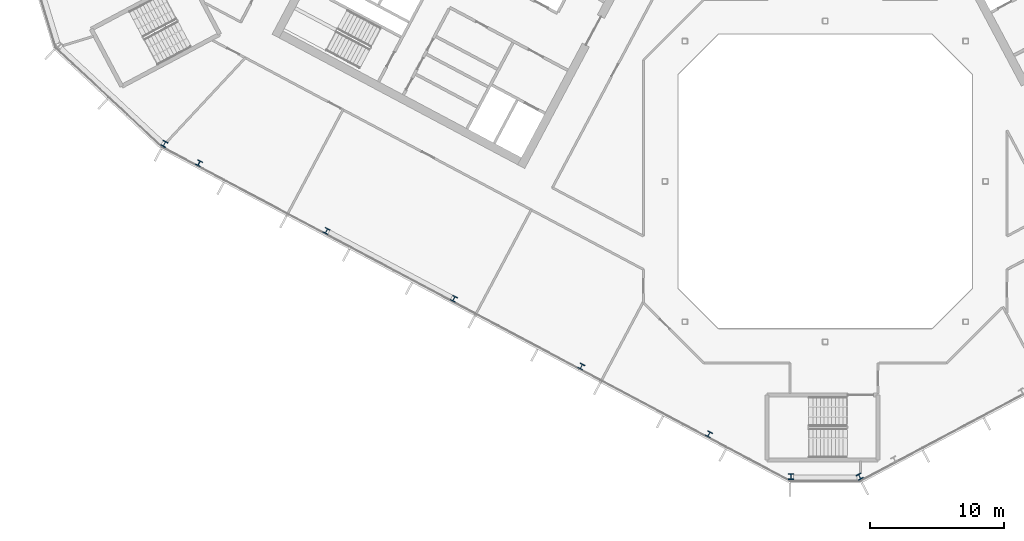
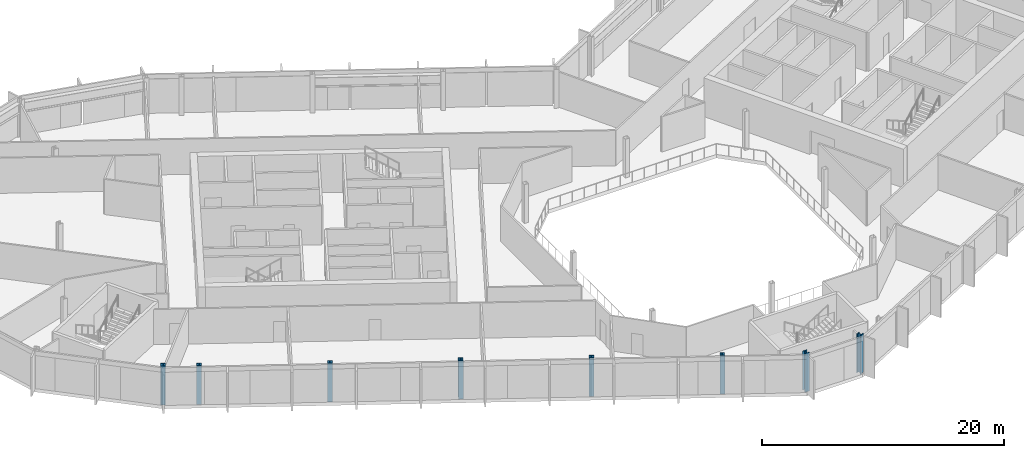
# One storey, part 1 of 26: 8 columns.
"""IFC4 building model written with IfcOpenShell, lengths in metres."""

from ifc_helpers import new_model, si_unit, direction, frame, origin, origin_2d, place, context, subcontext, project, spatial, i_section, extrude, material, material_profile, profile_set, type_object, element, save


model = new_model("IFC4")

# Units and contexts
model_context = context("Model", 3, precision=1e-05, world=origin(), true_north=direction((0.0, 1.0)))
body_context = subcontext(model_context, "Body", "Model", "MODEL_VIEW")
ifc_project = project(units=[si_unit("LENGTHUNIT", "METRE"), si_unit("AREAUNIT", "SQUARE_METRE"), si_unit("VOLUMEUNIT", "CUBIC_METRE"), si_unit("PLANEANGLEUNIT", "RADIAN"), si_unit("MASSUNIT", "GRAM", prefix="KILO")], contexts=[model_context])

# Site, building, storey
site_placement = place(None, origin())
site = spatial("IfcSite", under=ifc_project, at=site_placement, CompositionType="ELEMENT")
building_placement = place(site_placement, origin())
building = spatial("IfcBuilding", under=site, at=building_placement, Name="Cormorant Relay Tower", CompositionType="ELEMENT")
storey_placement = place(building_placement, frame((0.0, 0.0, 228.60009765625)))
storey = spatial("IfcBuildingStorey", under=building, at=storey_placement, Name="L50", CompositionType="ELEMENT", Elevation=228.60009765625)

# Columns
ifc_material_1 = material(Name="Steel ASTM A992 (Fy 345 MPa)", Category="steel")
ifc_material_profile_1 = material_profile(ifc_material_1, i_section(OverallWidth=0.40380859375, OverallDepth=0.406494140625, WebThickness=0.027099609375, FlangeThickness=0.043701171875, FilletRadius=0.01513671875, at=origin_2d()), Name="W360x347")
ifc_profile_set_1 = profile_set([ifc_material_profile_1], Name="Steel ASTM A992 (Fy 345 MPa)")
column_type_1 = type_object("IfcColumnType", Name="Column W360x347", PredefinedType="COLUMN", material=ifc_profile_set_1)
for number, where, z_axis, x_axis, name in (
    (1, (-8.700927734375, -18.919921875, 0.0), (0.0, 0.0, 1.0), (0.882947592859, -0.469471562786, 0.0), "Column L50-004"),
    (2, (-18.237060546875, -13.85009765625, 0.0), (0.0, 0.0, 1.0), (0.882947592859, -0.469471562786, 0.0), "Column L50-006"),
    (3, (-27.77197265625, -8.779052734375, 0.0), (0.0, 0.0, 1.0), (0.882947592859, -0.469471562786, 0.0), "Column L50-011"),
    (4, (-37.30810546875, -3.708984375, 0.0), (0.0, 0.0, 1.0), (0.882947592859, -0.469471562786, 0.0), "Column L50-013"),
    (5, (-46.843994140625, 1.361083984375, 0.0), (0.0, 0.0, 1.0), (0.882947592859, -0.469471562786, 0.0), "Column L50-017"),
):
    element("IfcColumn", number, at=place(storey_placement, frame(where, z_axis=z_axis, x_axis=x_axis)), inside=storey, type_object=column_type_1, Name=name, PredefinedType="COLUMN", context=body_context, shape_type="SweptSolid", body=[
        extrude(i_section(OverallWidth=0.40380859375, OverallDepth=0.406494140625, WebThickness=0.027099609375, FlangeThickness=0.043701171875, FilletRadius=0.01513671875, at=origin_2d()), origin(), (0.0, 0.0, 1.0), 3.89990234375),
    ])
ifc_material_2 = material(Name="Steel ASTM A992 (Fy 345 MPa)", Category="steel")
ifc_material_profile_2 = material_profile(ifc_material_2, i_section(OverallWidth=0.41162109375, OverallDepth=0.434326171875, WebThickness=0.035888671875, FlangeThickness=0.057373046875, FilletRadius=0.01513671875, at=origin_2d()), Name="W360x463")
ifc_profile_set_2 = profile_set([ifc_material_profile_2], Name="Steel ASTM A992 (Fy 345 MPa)")
column_type_2 = type_object("IfcColumnType", Name="Column W360x463", PredefinedType="COLUMN", material=ifc_profile_set_2)
for number, where, z_axis, x_axis, name in (
    (6, (-2.575927734375, -22.083984375, 0.0), (0.0, 0.0, 1.0), (1.0, 0.0, 0.0), "Column L50-001"),
    (7, (2.575927734375, -22.083984375, 0.0), (0.0, 0.0, 1.0), (0.882947592859, 0.469471562786, 0.0), "Column L50-002"),
    (8, (-49.43505859375, 2.803955078125, 0.0), (0.0, 0.0, 1.0), (0.882947592859, -0.469471562786, 0.0), "Column L50-018"),
):
    element("IfcColumn", number, at=place(storey_placement, frame(where, z_axis=z_axis, x_axis=x_axis)), inside=storey, type_object=column_type_2, Name=name, PredefinedType="COLUMN", context=body_context, shape_type="SweptSolid", body=[
        extrude(i_section(OverallWidth=0.41162109375, OverallDepth=0.434326171875, WebThickness=0.035888671875, FlangeThickness=0.057373046875, FilletRadius=0.01513671875, at=origin_2d()), origin(), (0.0, 0.0, 1.0), 3.89990234375),
    ])

save(model, "model.ifc")
